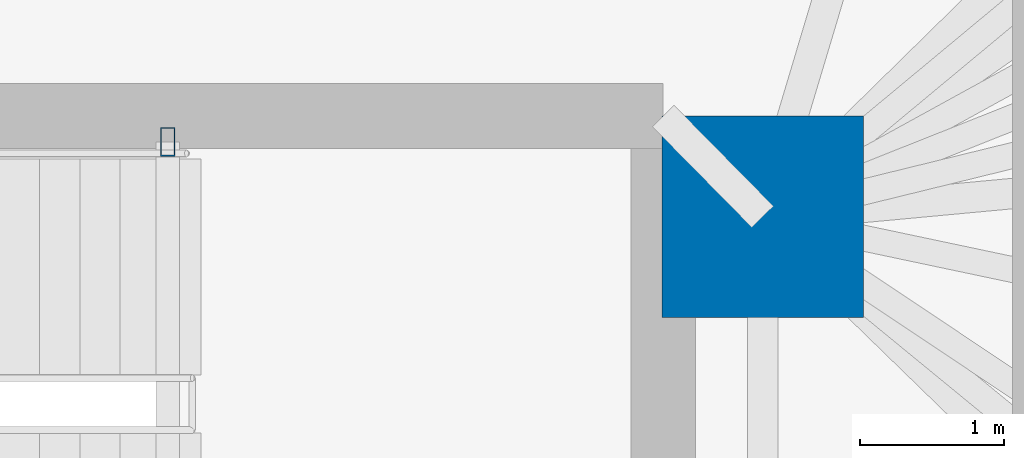
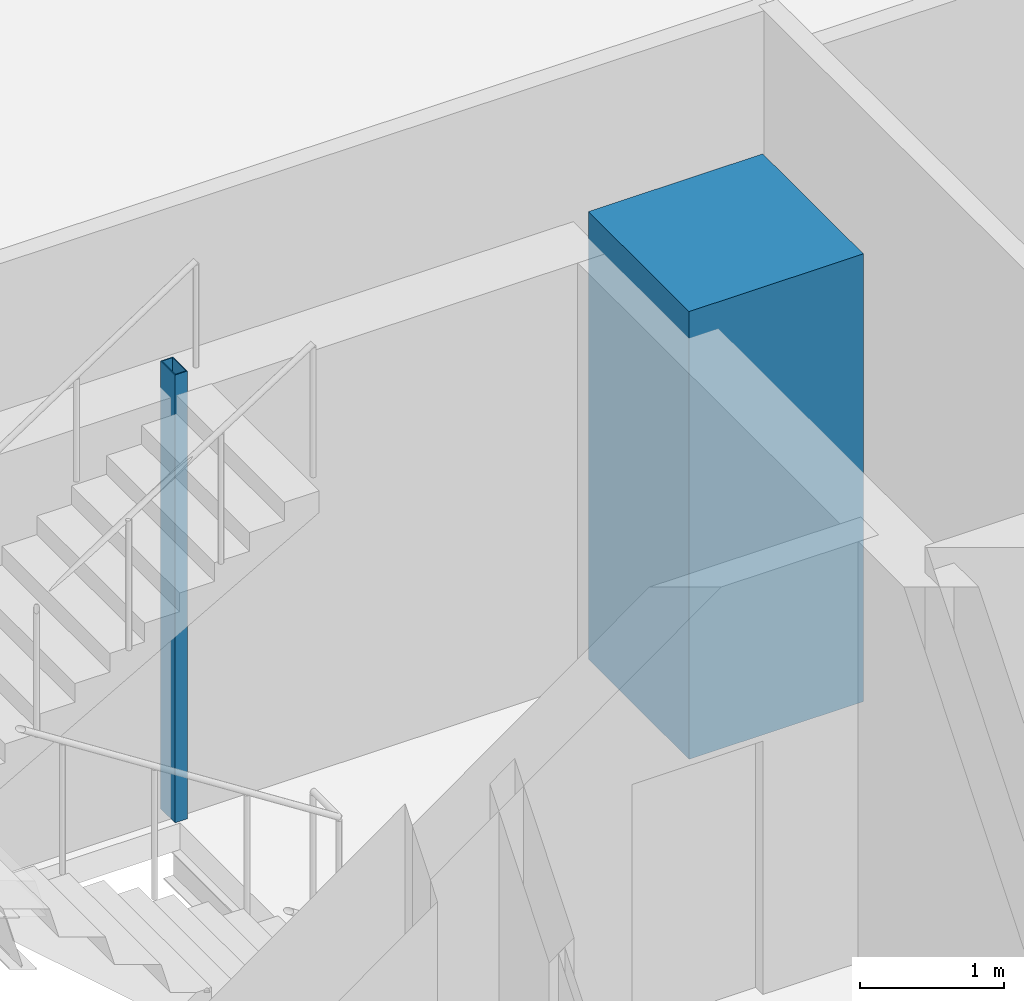
# One storey, part 4 of 16: 2 columns.
"""IFC4 building model written with IfcOpenShell, lengths in metres."""

from ifc_helpers import new_model, si_unit, direction, frame, origin, origin_2d, place, context, subcontext, project, spatial, rectangle, hollow_rectangle, extrude, material, material_profile, profile_set, type_object, element, save


model = new_model("IFC4")

# Units and contexts
model_context = context("Model", 3, precision=1e-05, world=origin(), true_north=direction((0.0, 1.0)))
body_context = subcontext(model_context, "Body", "Model", "MODEL_VIEW")
ifc_project = project(units=[si_unit("LENGTHUNIT", "METRE"), si_unit("AREAUNIT", "SQUARE_METRE"), si_unit("VOLUMEUNIT", "CUBIC_METRE"), si_unit("PLANEANGLEUNIT", "RADIAN"), si_unit("MASSUNIT", "GRAM", prefix="KILO")], contexts=[model_context])

# Site, building, storey
site_placement = place(None, origin())
site = spatial("IfcSite", under=ifc_project, at=site_placement, CompositionType="ELEMENT")
building_placement = place(site_placement, origin())
building = spatial("IfcBuilding", under=site, at=building_placement, Name="Menara Jurai Vektor", CompositionType="ELEMENT")
storey_placement = place(building_placement, frame((0.0, 0.0, 67.39990234375)))
storey = spatial("IfcBuildingStorey", under=building, at=storey_placement, Name="L16", CompositionType="ELEMENT", Elevation=67.39990234375)

# Columns
ifc_material_1 = material(Name="Concrete C60/75", Category="concrete")
ifc_material_profile_1 = material_profile(ifc_material_1, rectangle(XDim=1.39990234375, YDim=1.39990234375, at=origin_2d()), Name="RC 1400x1400")
ifc_profile_set_1 = profile_set([ifc_material_profile_1], Name="Concrete C60/75")
column_type_1 = type_object("IfcColumnType", Name="STR-COL-RC1400", PredefinedType="COLUMN", material=ifc_profile_set_1)
column_1_placement = place(storey_placement, frame((15.25, 4.89990234375, 0.0), z_axis=(0.0, 0.0, 1.0), x_axis=(1.0, 0.0, 0.0)))
element("IfcColumn", 1, at=column_1_placement, inside=storey, type_object=column_type_1, Name="Core Spine Column CE-NE L16", PredefinedType="COLUMN", context=body_context, shape_type="SweptSolid", body=[
    extrude(rectangle(XDim=1.39990234375, YDim=1.39990234375, at=origin_2d()), origin(), (0.0, 0.0, 1.0), 3.800048828125),
])
ifc_material_2 = material(Name="Steel S355", Category="steel")
ifc_material_profile_2 = material_profile(ifc_material_2, hollow_rectangle(XDim=0.10009765625, YDim=0.199951171875, WallThickness=0.008056640625, at=origin_2d()), Name="RHS 200x100x8")
ifc_profile_set_2 = profile_set([ifc_material_profile_2], Name="Steel S355")
column_type_2 = type_object("IfcColumnType", Name="STR-COL-STAIR", PredefinedType="COLUMN", material=ifc_profile_set_2)
column_2_placement = place(storey_placement, frame((11.1201171875, 5.419921875, 0.0), z_axis=(0.0, 0.0, 1.0), x_axis=(1.0, 0.0, 0.0)))
element("IfcColumn", 2, at=column_2_placement, inside=storey, type_object=column_type_2, Name="Stair Well Header Column ST2-P2 L16", PredefinedType="COLUMN", context=body_context, shape_type="SweptSolid", body=[
    extrude(hollow_rectangle(XDim=0.10009765625, YDim=0.199951171875, WallThickness=0.008056640625, at=origin_2d()), origin(), (0.0, 0.0, 1.0), 3.800048828125),
])

save(model, "model.ifc")
